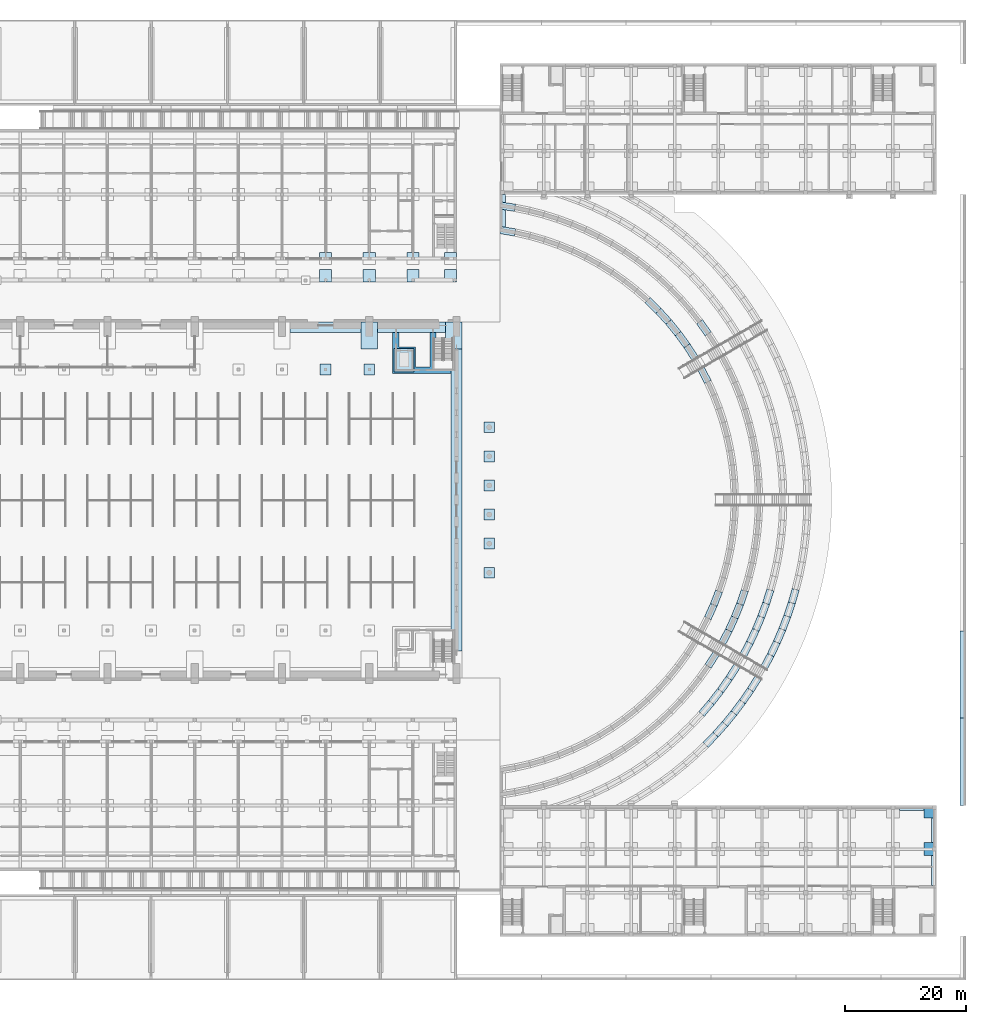
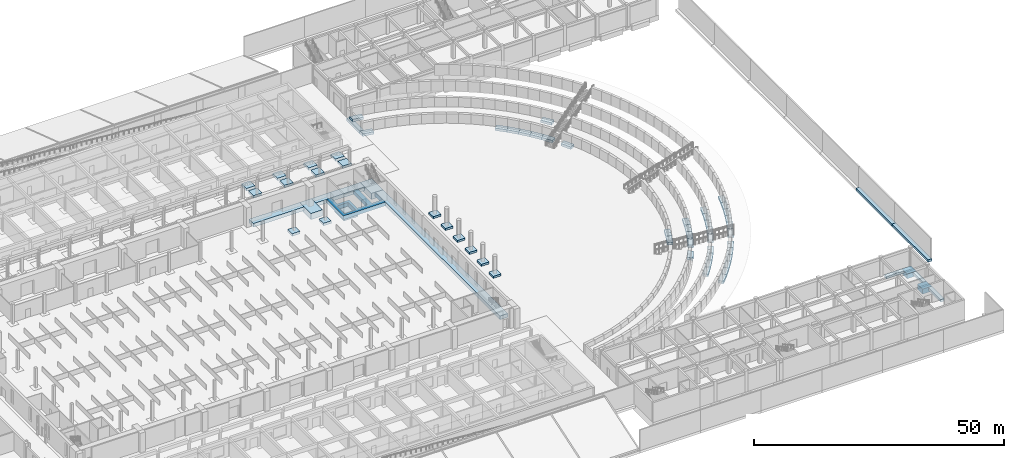
# One storey, part 8 of 73: 68 footings.
"""IFC4 building model written with IfcOpenShell, lengths in metres."""

import ifcopenshell
import ifcopenshell.guid

model = None  # the IFC model being written
_history = None  # IfcOwnerHistory: only IFC2X3 demands one
_inside = {}  # id of a spatial element -> (the spatial element, [elements in it])
_under = {}  # id of a project, library or spatial element -> (it, [spatial elements below it])
_declared = {}  # id of a project -> (the project, [libraries it declares])
_typed = {}  # id of a type object -> (the type object, [elements of that type])
_made_of = {}  # id of a material, layer set ... -> (it, [elements and type objects made of it])


def new_model(schema):
    """Start an empty IFC model of exactly this schema.

    Asked for "IFC4X3", IfcOpenShell would pick the latest addendum, in which some entities
    have other attributes; the version numbers below select the first issue.
    IFC2X3 requires an IfcOwnerHistory on every rooted entity: one is made here for all.
    """
    global model, _history
    if schema == "IFC4X3":
        model = ifcopenshell.file(schema_version=(4, 3, 0, 0))
    else:
        model = ifcopenshell.file(schema=schema)
    _inside.clear()
    _under.clear()
    _declared.clear()
    _typed.clear()
    _made_of.clear()
    _history = None
    if model.schema == "IFC2X3":
        org = make("IfcOrganization", Name="unknown")
        user = make(
            "IfcPersonAndOrganization",
            ThePerson=make("IfcPerson", FamilyName="unknown"),
            TheOrganization=org,
        )
        app = make(
            "IfcApplication",
            ApplicationDeveloper=org,
            Version="unknown",
            ApplicationFullName="unknown",
            ApplicationIdentifier="unknown",
        )
        _history = make(
            "IfcOwnerHistory",
            OwningUser=user,
            OwningApplication=app,
            ChangeAction="ADDED",
            CreationDate=0,
        )
    return model


def make(cls, **values):
    """One entity of the class cls with the attributes given. An attribute that is None is left unset."""
    return model.create_entity(
        cls, **{name: value for name, value in values.items() if value is not None}
    )


def rooted(cls, **values):
    """An entity with a GlobalId (a new one), such as an element, a storey or a relation."""
    return make(cls, GlobalId=ifcopenshell.guid.new(), OwnerHistory=_history, **values)


def si_unit(unit_type, name, prefix=None):
    """IfcSIUnit, for example si_unit("LENGTHUNIT", "METRE", prefix="MILLI")."""
    return make("IfcSIUnit", UnitType=unit_type, Prefix=prefix, Name=name)


def assignment(units):
    """IfcUnitAssignment: the units of a project."""
    return None if units is None else make("IfcUnitAssignment", Units=units)


def point(xyz):
    """IfcCartesianPoint."""
    return None if xyz is None else make("IfcCartesianPoint", Coordinates=xyz)


def direction(xyz):
    """IfcDirection."""
    return None if xyz is None else make("IfcDirection", DirectionRatios=xyz)


def frame(location, z_axis=None, x_axis=None):
    """IfcAxis2Placement3D, a coordinate frame: its origin and axes. An axis left out is left unset."""
    return make(
        "IfcAxis2Placement3D",
        Location=point(location),
        Axis=direction(z_axis),
        RefDirection=direction(x_axis),
    )


def frame_2d(location, x_axis=None):
    """IfcAxis2Placement2D, a coordinate frame in the plane: its origin and x axis."""
    return make(
        "IfcAxis2Placement2D", Location=point(location), RefDirection=direction(x_axis)
    )


def origin():
    """The frame at (0, 0, 0) with its axes left unset."""
    return frame((0.0, 0.0, 0.0))


def origin_2d():
    """The frame at (0, 0) in the plane with its x axis left unset."""
    return frame_2d((0.0, 0.0))


def place(relative_to, where):
    """IfcLocalPlacement: puts the frame where relative to a parent placement (None: the world)."""
    return make(
        "IfcLocalPlacement", PlacementRelTo=relative_to, RelativePlacement=where
    )


def context(
    kind, dimensions, precision=None, world=None, true_north=None, identifier=None
):
    """IfcGeometricRepresentationContext, for example the 3D "Model" context."""
    return make(
        "IfcGeometricRepresentationContext",
        ContextIdentifier=identifier,
        ContextType=kind,
        CoordinateSpaceDimension=dimensions,
        Precision=precision,
        WorldCoordinateSystem=world,
        TrueNorth=true_north,
    )


def subcontext(parent, identifier, kind, view, scale=None):
    """IfcGeometricRepresentationSubContext, for example "Body" below "Model"."""
    return make(
        "IfcGeometricRepresentationSubContext",
        ContextIdentifier=identifier,
        ContextType=kind,
        ParentContext=parent,
        TargetScale=scale,
        TargetView=view,
    )


def project(units=None, contexts=None):
    """IfcProject with its units and contexts."""
    return rooted(
        "IfcProject",
        Name="project",
        RepresentationContexts=contexts,
        UnitsInContext=assignment(units),
    )


def spatial(cls, under=None, at=None, **own):
    """A site, building, storey or space (cls), placed at a placement, below another one or the project."""
    s = rooted(cls, ObjectPlacement=at, **own)
    if under is not None:
        _under.setdefault(under.id(), (under, []))[1].append(s)
    return s


def polyline(points):
    """IfcPolyline through the points."""
    return make("IfcPolyline", Points=[point(p) for p in points])


def profile(cls, at=None, kind="AREA", **sizes):
    """A parametric profile (cls). Its sizes go by their IFC names, for example OverallWidth=200.0."""
    return make(cls, ProfileType=kind, Position=at, **sizes)


def rectangle(**sizes):
    """IfcRectangleProfileDef."""
    return profile("IfcRectangleProfileDef", **sizes)


def outline(outer, holes=None, kind="AREA"):
    """IfcArbitraryClosedProfileDef: a profile drawn as a closed curve; with holes, ...WithVoids."""
    if holes is None:
        return make("IfcArbitraryClosedProfileDef", ProfileType=kind, OuterCurve=outer)
    return make(
        "IfcArbitraryProfileDefWithVoids",
        ProfileType=kind,
        OuterCurve=outer,
        InnerCurves=holes,
    )


def extrude(swept, where, along, depth):
    """IfcExtrudedAreaSolid: the profile swept, set in the frame where, extruded along a direction by depth."""
    return make(
        "IfcExtrudedAreaSolid",
        SweptArea=swept,
        Position=where,
        ExtrudedDirection=direction(along),
        Depth=depth,
    )


def shape(context_of_items, identifier, shape_type, items):
    """IfcShapeRepresentation: the items that make up one representation, for example the "Body"."""
    return make(
        "IfcShapeRepresentation",
        ContextOfItems=context_of_items,
        RepresentationIdentifier=identifier,
        RepresentationType=shape_type,
        Items=items,
    )


def material(Name=None, Category=None):
    """IfcMaterial."""
    return make("IfcMaterial", Name=Name, Category=Category)


def made_of(thing, what):
    """Note that an element or type object is made of a material, layer set ...; save() writes the relation."""
    if what is not None:
        _made_of.setdefault(what.id(), (what, []))[1].append(thing)
    return thing


def type_object(cls, material=None, **own):
    """A type object (cls), such as IfcWallType, which elements share."""
    return made_of(rooted(cls, **own), material)


def element(
    cls,
    number,
    at=None,
    inside=None,
    cuts=None,
    type_object=None,
    material=None,
    context=None,
    identifier="Body",
    shape_type=None,
    held_by="IfcProductDefinitionShape",
    body=None,
    shapes=None,
    **own,
):
    """One element of the class cls, such as IfcWall. Its Tag is "e" and its number.

    at: its placement. inside: the storey or other place that contains it. cuts: it is an
    opening in that element (IfcRelVoidsElement). A single representation is given by context,
    identifier, shape_type and body (its items); several are given by shapes. held_by: the class
    of the entity that holds the representations. save() writes the other relations.
    """
    e = rooted(cls, Tag="e%d" % number, ObjectPlacement=at, **own)
    if body is not None:
        shapes = [shape(context, identifier, shape_type, body)]
    if shapes is not None:
        e.Representation = make(held_by, Representations=shapes)
    if inside is not None:
        _inside.setdefault(inside.id(), (inside, []))[1].append(e)
    if cuts is not None:
        rooted(
            "IfcRelVoidsElement", RelatingBuildingElement=cuts, RelatedOpeningElement=e
        )
    if type_object is not None:
        _typed.setdefault(type_object.id(), (type_object, []))[1].append(e)
    return made_of(e, material)


def aggregate(whole, parts):
    """IfcRelAggregates: a whole, such as a stair, and the parts it consists of."""
    return rooted("IfcRelAggregates", RelatingObject=whole, RelatedObjects=parts)


def save(model, path):
    """Write the relations noted so far, then the file.

    IfcRelAggregates (storeys below a building ...), IfcRelContainedInSpatialStructure (elements
    in a storey), IfcRelDefinesByType, IfcRelAssociatesMaterial and IfcRelDeclares: one each for
    every whole, place, type object, material and project.
    """
    for whole, parts in _under.values():
        aggregate(whole, parts)
    for where, things in _inside.values():
        rooted(
            "IfcRelContainedInSpatialStructure",
            RelatedElements=things,
            RelatingStructure=where,
        )
    for kind, things in _typed.values():
        rooted("IfcRelDefinesByType", RelatedObjects=things, RelatingType=kind)
    for what, things in _made_of.values():
        rooted("IfcRelAssociatesMaterial", RelatedObjects=things, RelatingMaterial=what)
    for by, libraries in _declared.values():
        rooted("IfcRelDeclares", RelatingContext=by, RelatedDefinitions=libraries)
    model.write(path)


model = new_model("IFC4")

# Units and contexts
model_context = context("Model", 3, precision=1e-05, world=origin(), true_north=direction((0.0, 1.0)))
body_context = subcontext(model_context, "Body", "Model", "MODEL_VIEW")
ifc_project = project(units=[si_unit("LENGTHUNIT", "METRE"), si_unit("AREAUNIT", "SQUARE_METRE"), si_unit("VOLUMEUNIT", "CUBIC_METRE"), si_unit("PLANEANGLEUNIT", "RADIAN"), si_unit("MASSUNIT", "GRAM", prefix="KILO")], contexts=[model_context])

# Site, building, storey
site_placement = place(None, origin())
site = spatial("IfcSite", under=ifc_project, at=site_placement, CompositionType="ELEMENT")
building_placement = place(site_placement, origin())
building = spatial("IfcBuilding", under=site, at=building_placement, Name="Alderwick Market Hall", CompositionType="ELEMENT")
storey_placement = place(building_placement, origin())
storey = spatial("IfcBuildingStorey", under=building, at=storey_placement, Name="LG", CompositionType="ELEMENT", Elevation=0.0)

# Footings
ifc_material_1 = material(Name="Concrete 4000 psi (f'c 28 MPa)", Category="concrete")
footing_type_1 = type_object("IfcFootingType", Name="A Pad Footing 2000x2000x600", PredefinedType="PAD_FOOTING", material=ifc_material_1)
footing_1_placement = place(storey_placement, frame((0.0, 0.0, -0.60009765625)))
element("IfcFooting", 1, at=footing_1_placement, inside=storey, type_object=footing_type_1, Name="A.N.pad.F11", PredefinedType="PAD_FOOTING", context=body_context, shape_type="SweptSolid", body=[
    extrude(outline(polyline([(128.60009765625, 118.050048828125), (130.60009765625, 118.050048828125), (130.60009765625, 120.050048828125), (128.60009765625, 120.050048828125), (128.60009765625, 118.050048828125)])), origin(), (0.0, 0.0, 1.0), 0.60009765625),
])
footing_2_placement = place(storey_placement, frame((0.0, 0.0, -0.60009765625)))
element("IfcFooting", 2, at=footing_2_placement, inside=storey, type_object=footing_type_1, Name="A.N.pad.F12", PredefinedType="PAD_FOOTING", context=body_context, shape_type="SweptSolid", body=[
    extrude(outline(polyline([(135.800048828125, 118.050048828125), (137.800048828125, 118.050048828125), (137.800048828125, 120.050048828125), (135.800048828125, 120.050048828125), (135.800048828125, 118.050048828125)])), origin(), (0.0, 0.0, 1.0), 0.60009765625),
])
footing_3_placement = place(storey_placement, frame((0.0, 0.0, -0.60009765625)))
element("IfcFooting", 3, at=footing_3_placement, inside=storey, type_object=footing_type_1, Name="A.N.pad.F13", PredefinedType="PAD_FOOTING", context=body_context, shape_type="SweptSolid", body=[
    extrude(outline(polyline([(143.0, 118.050048828125), (145.0, 118.050048828125), (145.0, 120.050048828125), (143.0, 120.050048828125), (143.0, 118.050048828125)])), origin(), (0.0, 0.0, 1.0), 0.60009765625),
])
footing_4_placement = place(storey_placement, frame((0.0, 0.0, -0.60009765625)))
element("IfcFooting", 4, at=footing_4_placement, inside=storey, type_object=footing_type_1, Name="A.N.pad.F14", PredefinedType="PAD_FOOTING", context=body_context, shape_type="SweptSolid", body=[
    extrude(outline(polyline([(149.199951171875, 118.050048828125), (151.199951171875, 118.050048828125), (151.199951171875, 120.050048828125), (149.199951171875, 120.050048828125), (149.199951171875, 118.050048828125)])), origin(), (0.0, 0.0, 1.0), 0.60009765625),
])
footing_5_placement = place(storey_placement, frame((0.0, 0.0, -0.60009765625)))
element("IfcFooting", 5, at=footing_5_placement, inside=storey, type_object=footing_type_1, Name="A.N.pad.C11", PredefinedType="PAD_FOOTING", context=body_context, shape_type="SweptSolid", body=[
    extrude(outline(polyline([(128.60009765625, 115.199951171875), (130.60009765625, 115.199951171875), (130.60009765625, 117.199951171875), (128.60009765625, 117.199951171875), (128.60009765625, 115.199951171875)])), origin(), (0.0, 0.0, 1.0), 0.60009765625),
])
footing_6_placement = place(storey_placement, frame((0.0, 0.0, -0.60009765625)))
element("IfcFooting", 6, at=footing_6_placement, inside=storey, type_object=footing_type_1, Name="A.N.pad.C12", PredefinedType="PAD_FOOTING", context=body_context, shape_type="SweptSolid", body=[
    extrude(outline(polyline([(135.800048828125, 115.199951171875), (137.800048828125, 115.199951171875), (137.800048828125, 117.199951171875), (135.800048828125, 117.199951171875), (135.800048828125, 115.199951171875)])), origin(), (0.0, 0.0, 1.0), 0.60009765625),
])
footing_7_placement = place(storey_placement, frame((0.0, 0.0, -0.60009765625)))
element("IfcFooting", 7, at=footing_7_placement, inside=storey, type_object=footing_type_1, Name="A.N.pad.C13", PredefinedType="PAD_FOOTING", context=body_context, shape_type="SweptSolid", body=[
    extrude(outline(polyline([(143.0, 115.199951171875), (145.0, 115.199951171875), (145.0, 117.199951171875), (143.0, 117.199951171875), (143.0, 115.199951171875)])), origin(), (0.0, 0.0, 1.0), 0.60009765625),
])
footing_8_placement = place(storey_placement, frame((0.0, 0.0, -0.60009765625)))
element("IfcFooting", 8, at=footing_8_placement, inside=storey, type_object=footing_type_1, Name="A.N.pad.C14", PredefinedType="PAD_FOOTING", context=body_context, shape_type="SweptSolid", body=[
    extrude(outline(polyline([(149.199951171875, 115.199951171875), (151.199951171875, 115.199951171875), (151.199951171875, 117.199951171875), (149.199951171875, 117.199951171875), (149.199951171875, 115.199951171875)])), origin(), (0.0, 0.0, 1.0), 0.60009765625),
])
footing_type_2 = type_object("IfcFootingType", Name="C Pad Footing 2100x2100x1200", PredefinedType="PAD_FOOTING", material=ifc_material_1)
for number, where, z_axis, x_axis, name in (
    (9, (229.35009765625, 27.75, -1.5), (0.0, 0.0, 1.0), (1.0, 0.0, 0.0), "C.cap.LG.11"),
    (10, (229.35009765625, 21.60009765625, -1.5), (0.0, 0.0, 1.0), (1.0, 0.0, 0.0), "C.cap.LG.22"),
):
    element("IfcFooting", number, at=place(storey_placement, frame(where, z_axis=z_axis, x_axis=x_axis)), inside=storey, type_object=footing_type_2, Name=name, PredefinedType="PAD_FOOTING", context=body_context, shape_type="SweptSolid", body=[
        extrude(rectangle(XDim=2.10009765625, YDim=2.10009765625, at=origin_2d()), origin(), (0.0, 0.0, 1.0), 1.199951171875),
    ])
footing_type_3 = type_object("IfcFootingType", Name="C Strip Footing 800x600", PredefinedType="STRIP_FOOTING", material=ifc_material_1)
footing_9_placement = place(storey_placement, frame((0.0, 0.0, -0.89990234375)))
element("IfcFooting", 11, at=footing_9_placement, inside=storey, type_object=footing_type_3, Name="C.strip.LG.10", PredefinedType="STRIP_FOOTING", context=body_context, shape_type="SweptSolid", body=[
    extrude(outline(polyline([(224.2509765625, 28.0), (228.299072265625, 28.0), (228.299072265625, 28.800048828125), (224.2509765625, 28.800048828125), (224.2509765625, 28.0)])), origin(), (0.0, 0.0, 1.0), 0.599853515625),
])
footing_10_placement = place(storey_placement, frame((0.0, 0.0, -0.89990234375)))
element("IfcFooting", 12, at=footing_10_placement, inside=storey, type_object=footing_type_3, Name="C.strip.LG.20", PredefinedType="STRIP_FOOTING", context=body_context, shape_type="SweptSolid", body=[
    extrude(outline(polyline([(229.60009765625, 22.65087890625), (230.39990234375, 22.65087890625), (230.39990234375, 26.698974609375), (229.60009765625, 26.698974609375), (229.60009765625, 22.65087890625)])), origin(), (0.0, 0.0, 1.0), 0.599853515625),
])
footing_11_placement = place(storey_placement, frame((0.0, 0.0, -0.89990234375)))
element("IfcFooting", 13, at=footing_11_placement, inside=storey, type_object=footing_type_3, Name="C.strip.LG.21", PredefinedType="STRIP_FOOTING", context=body_context, shape_type="SweptSolid", body=[
    extrude(outline(polyline([(229.60009765625, 15.60107421875), (230.39990234375, 15.60107421875), (230.39990234375, 20.549072265625), (229.60009765625, 20.549072265625), (229.60009765625, 15.60107421875)])), origin(), (0.0, 0.0, 1.0), 0.599853515625),
])
footing_type_4 = type_object("IfcFootingType", Name="H Lift pit footing 600", PredefinedType="PAD_FOOTING", material=ifc_material_1)
footing_12_placement = place(storey_placement, frame((0.0, 0.0, -1.5)))
element("IfcFooting", 14, at=footing_12_placement, inside=storey, type_object=footing_type_4, Name="Lift pit footing", PredefinedType="PAD_FOOTING", context=body_context, shape_type="SweptSolid", body=[
    extrude(outline(polyline([(140.89990234375, 104.159912109375), (144.199951171875, 104.159912109375), (144.199951171875, 100.360107421875), (140.89990234375, 100.360107421875), (140.89990234375, 104.159912109375)])), origin(), (0.0, 0.0, 1.0), 0.60009765625),
])
footing_type_5 = type_object("IfcFootingType", Name="H Pad footing 1800x1800x600", PredefinedType="PAD_FOOTING", material=ifc_material_1)
footing_13_placement = place(storey_placement, frame((0.0, 0.0, -0.60009765625)))
element("IfcFooting", 15, at=footing_13_placement, inside=storey, type_object=footing_type_5, Name="Pad footing", PredefinedType="PAD_FOOTING", context=body_context, shape_type="SweptSolid", body=[
    extrude(outline(polyline([(128.699951171875, 99.860107421875), (128.699951171875, 101.659912109375), (130.5, 101.659912109375), (130.5, 99.860107421875), (128.699951171875, 99.860107421875)])), origin(), (0.0, 0.0, 1.0), 0.60009765625),
])
footing_14_placement = place(storey_placement, frame((0.0, 0.0, -0.60009765625)))
element("IfcFooting", 16, at=footing_14_placement, inside=storey, type_object=footing_type_5, Name="Pad footing", PredefinedType="PAD_FOOTING", context=body_context, shape_type="SweptSolid", body=[
    extrude(outline(polyline([(135.89990234375, 99.860107421875), (135.89990234375, 101.659912109375), (137.699951171875, 101.659912109375), (137.699951171875, 99.860107421875), (135.89990234375, 99.860107421875)])), origin(), (0.0, 0.0, 1.0), 0.60009765625),
])
footing_type_6 = type_object("IfcFootingType", Name="H Pad footing 2700x4500x1500", PredefinedType="PAD_FOOTING", material=ifc_material_1)
for number, where, z_axis, x_axis, name in (
    (17, (136.800048828125, 106.35009765625, -1.5), (0.0, 0.0, 1.0), (1.0, 0.0, 0.0), "Pier footing N7"),
    (18, (150.75, 106.35009765625, -1.5), (0.0, 0.0, 1.0), (1.0, 0.0, 0.0), "Pier footing N8"),
):
    element("IfcFooting", number, at=place(storey_placement, frame(where, z_axis=z_axis, x_axis=x_axis)), inside=storey, type_object=footing_type_6, Name=name, PredefinedType="PAD_FOOTING", context=body_context, shape_type="SweptSolid", body=[
        extrude(rectangle(XDim=2.699951171875, YDim=4.5, at=origin_2d()), origin(), (0.0, 0.0, 1.0), 1.5),
    ])
footing_type_7 = type_object("IfcFootingType", Name="H Strip footing 900", PredefinedType="STRIP_FOOTING", material=ifc_material_1)
footing_15_placement = place(storey_placement, frame((0.0, 0.0, -0.89990234375)))
element("IfcFooting", 19, at=footing_15_placement, inside=storey, type_object=footing_type_7, Name="Strip footing", PredefinedType="STRIP_FOOTING", context=body_context, shape_type="SweptSolid", body=[
    extrude(outline(polyline([(135.449951171875, 108.60009765625), (135.449951171875, 106.800048828125), (123.75, 106.800048828125), (123.75, 108.60009765625), (135.449951171875, 108.60009765625)])), origin(), (0.0, 0.0, 1.0), 0.89990234375),
])
footing_16_placement = place(storey_placement, frame((0.0, 0.0, -0.89990234375)))
element("IfcFooting", 20, at=footing_16_placement, inside=storey, type_object=footing_type_7, Name="Strip footing", PredefinedType="STRIP_FOOTING", context=body_context, shape_type="SweptSolid", body=[
    extrude(outline(polyline([(149.39990234375, 108.60009765625), (149.39990234375, 106.800048828125), (138.14990234375, 106.800048828125), (138.14990234375, 108.60009765625), (149.39990234375, 108.60009765625)])), origin(), (0.0, 0.0, 1.0), 0.89990234375),
])
footing_17_placement = place(storey_placement, frame((0.0, 0.0, -0.89990234375)))
element("IfcFooting", 21, at=footing_17_placement, inside=storey, type_object=footing_type_7, Name="Strip footing", PredefinedType="STRIP_FOOTING", context=body_context, shape_type="SweptSolid", body=[
    extrude(outline(polyline([(152.10009765625, 54.300048828125), (150.300048828125, 54.300048828125), (150.300048828125, 104.10009765625), (152.10009765625, 104.10009765625), (152.10009765625, 54.300048828125)])), origin(), (0.0, 0.0, 1.0), 0.89990234375),
])
footing_18_placement = place(storey_placement, frame((0.0, 0.0, -0.89990234375)))
element("IfcFooting", 22, at=footing_18_placement, inside=storey, type_object=footing_type_7, Name="Core wall footing", PredefinedType="STRIP_FOOTING", context=body_context, shape_type="SweptSolid", body=[
    extrude(outline(polyline([(144.449951171875, 104.409912109375), (144.449951171875, 101.159912109375), (146.800048828125, 101.159912109375), (146.800048828125, 106.800048828125), (147.85009765625, 106.800048828125), (147.85009765625, 101.159912109375), (150.199951171875, 101.159912109375), (150.199951171875, 104.10009765625), (150.300048828125, 104.10009765625), (150.300048828125, 100.110107421875), (140.64990234375, 100.110107421875), (140.64990234375, 106.800048828125), (141.699951171875, 106.800048828125), (141.699951171875, 104.409912109375), (144.449951171875, 104.409912109375)]), holes=[polyline([(143.800048828125, 103.760009765625), (141.300048828125, 103.760009765625), (141.300048828125, 100.760009765625), (143.800048828125, 100.760009765625), (143.800048828125, 103.760009765625)])]), origin(), (0.0, 0.0, 1.0), 0.89990234375),
])
ifc_material_2 = material(Name="Concrete 5000 psi (f'c 35 MPa)", Category="concrete")
footing_type_8 = type_object("IfcFootingType", Name="R Portico Footing 1800x1800x500", PredefinedType="PAD_FOOTING", material=ifc_material_2)
for number, where, z_axis, x_axis, name in (
    (23, (156.60009765625, 67.199951171875, 0.0), (0.0, 0.0, 1.0), (1.0, 0.0, 0.0), "Portico column footing 1"),
    (24, (156.60009765625, 72.0, 0.0), (0.0, 0.0, 1.0), (1.0, 0.0, 0.0), "Portico column footing 2"),
    (25, (156.60009765625, 76.800048828125, 0.0), (0.0, 0.0, 1.0), (1.0, 0.0, 0.0), "Portico column footing 3"),
    (26, (156.60009765625, 81.60009765625, 0.0), (0.0, 0.0, 1.0), (1.0, 0.0, 0.0), "Portico column footing 4"),
    (27, (156.60009765625, 86.39990234375, 0.0), (0.0, 0.0, 1.0), (1.0, 0.0, 0.0), "Portico column footing 5"),
    (28, (156.60009765625, 91.199951171875, 0.0), (0.0, 0.0, 1.0), (1.0, 0.0, 0.0), "Portico column footing 6"),
):
    element("IfcFooting", number, at=place(storey_placement, frame(where, z_axis=z_axis, x_axis=x_axis)), inside=storey, type_object=footing_type_8, Name=name, PredefinedType="PAD_FOOTING", context=body_context, shape_type="SweptSolid", body=[
        extrude(rectangle(XDim=1.800048828125, YDim=1.800048828125, at=origin_2d()), origin(), (0.0, 0.0, 1.0), 0.5),
    ])
footing_type_9 = type_object("IfcFootingType", Name="S Strip Footing 900", PredefinedType="STRIP_FOOTING", material=ifc_material_1)
footing_19_placement = place(storey_placement, frame((0.0, 0.0, -0.85009765625)))
element("IfcFooting", 29, at=footing_19_placement, inside=storey, type_object=footing_type_9, Name="S.efoot.06a.1", PredefinedType="STRIP_FOOTING", context=body_context, shape_type="SweptSolid", body=[
    extrude(outline(polyline([(159.300048828125, 123.9580078125), (159.300048828125, 129.590087890625), (158.39990234375, 129.590087890625), (158.39990234375, 123.9580078125), (159.300048828125, 123.9580078125)])), origin(), (0.0, 0.0, 1.0), 0.60009765625),
])
footing_20_placement = place(storey_placement, frame((0.0, 0.0, -0.800048828125)))
element("IfcFooting", 30, at=footing_20_placement, inside=storey, type_object=footing_type_9, Name="S.ffoot.W1.18", PredefinedType="STRIP_FOOTING", context=body_context, shape_type="SweptSolid", body=[
    extrude(outline(polyline([(193.197265625, 59.442138671875), (194.1904296875, 61.656982421875), (193.082763671875, 62.11865234375), (192.11572265625, 59.962158203125), (193.197265625, 59.442138671875)])), origin(), (0.0, 0.0, 1.0), 0.60009765625),
])
footing_21_placement = place(storey_placement, frame((0.0, 0.0, -0.800048828125)))
element("IfcFooting", 31, at=footing_21_placement, inside=storey, type_object=footing_type_9, Name="S.ffoot.W1.19", PredefinedType="STRIP_FOOTING", context=body_context, shape_type="SweptSolid", body=[
    extrude(outline(polyline([(194.1904296875, 61.656982421875), (195.064208984375, 63.921630859375), (193.93359375, 64.32373046875), (193.082763671875, 62.11865234375), (194.1904296875, 61.656982421875)])), origin(), (0.0, 0.0, 1.0), 0.60009765625),
])
footing_22_placement = place(storey_placement, frame((0.0, 0.0, -0.800048828125)))
element("IfcFooting", 32, at=footing_22_placement, inside=storey, type_object=footing_type_9, Name="S.ffoot.W1.34", PredefinedType="STRIP_FOOTING", context=body_context, shape_type="SweptSolid", body=[
    extrude(outline(polyline([(193.197265625, 98.957763671875), (192.087646484375, 101.11669921875), (191.035400390625, 100.5400390625), (192.11572265625, 98.43798828125), (193.197265625, 98.957763671875)])), origin(), (0.0, 0.0, 1.0), 0.60009765625),
])
footing_23_placement = place(storey_placement, frame((0.0, 0.0, -0.800048828125)))
element("IfcFooting", 33, at=footing_23_placement, inside=storey, type_object=footing_type_9, Name="S.ffoot.W1.35", PredefinedType="STRIP_FOOTING", context=body_context, shape_type="SweptSolid", body=[
    extrude(outline(polyline([(191.07421875, 102.871826171875), (189.706787109375, 104.9892578125), (188.71728515625, 104.310546875), (190.048583984375, 102.2490234375), (191.07421875, 102.871826171875)])), origin(), (0.0, 0.0, 1.0), 0.60009765625),
])
footing_24_placement = place(storey_placement, frame((0.0, 0.0, -0.800048828125)))
element("IfcFooting", 34, at=footing_24_placement, inside=storey, type_object=footing_type_9, Name="S.ffoot.W1.36", PredefinedType="STRIP_FOOTING", context=body_context, shape_type="SweptSolid", body=[
    extrude(outline(polyline([(189.706787109375, 104.9892578125), (188.224365234375, 107.02783203125), (187.273681640625, 106.29541015625), (188.71728515625, 104.310546875), (189.706787109375, 104.9892578125)])), origin(), (0.0, 0.0, 1.0), 0.60009765625),
])
footing_25_placement = place(storey_placement, frame((0.0, 0.0, -0.800048828125)))
element("IfcFooting", 35, at=footing_25_placement, inside=storey, type_object=footing_type_9, Name="S.ffoot.W1.37", PredefinedType="STRIP_FOOTING", context=body_context, shape_type="SweptSolid", body=[
    extrude(outline(polyline([(188.224365234375, 107.02783203125), (186.631591796875, 108.981201171875), (185.722900390625, 108.197509765625), (187.273681640625, 106.29541015625), (188.224365234375, 107.02783203125)])), origin(), (0.0, 0.0, 1.0), 0.60009765625),
])
footing_26_placement = place(storey_placement, frame((0.0, 0.0, -0.800048828125)))
element("IfcFooting", 36, at=footing_26_placement, inside=storey, type_object=footing_type_9, Name="S.ffoot.W1.38", PredefinedType="STRIP_FOOTING", context=body_context, shape_type="SweptSolid", body=[
    extrude(outline(polyline([(186.631591796875, 108.981201171875), (184.933349609375, 110.84375), (184.0693359375, 110.010986328125), (185.722900390625, 108.197509765625), (186.631591796875, 108.981201171875)])), origin(), (0.0, 0.0, 1.0), 0.60009765625),
])
footing_27_placement = place(storey_placement, frame((0.0, 0.0, -0.800048828125)))
element("IfcFooting", 37, at=footing_27_placement, inside=storey, type_object=footing_type_9, Name="S.ffoot.W1.39", PredefinedType="STRIP_FOOTING", context=body_context, shape_type="SweptSolid", body=[
    extrude(outline(polyline([(184.933349609375, 110.84375), (183.134765625, 112.609619140625), (182.318115234375, 111.73046875), (184.0693359375, 110.010986328125), (184.933349609375, 110.84375)])), origin(), (0.0, 0.0, 1.0), 0.60009765625),
])
footing_28_placement = place(storey_placement, frame((0.0, 0.0, -0.800048828125)))
element("IfcFooting", 38, at=footing_28_placement, inside=storey, type_object=footing_type_9, Name="S.ffoot.W1.50", PredefinedType="STRIP_FOOTING", context=body_context, shape_type="SweptSolid", body=[
    extrude(outline(polyline([(160.968994140625, 123.92919921875), (158.48388671875, 124.350830078125), (158.39990234375, 124.362060546875), (158.39990234375, 123.1484375), (160.735595703125, 122.752197265625), (160.968994140625, 123.92919921875)])), origin(), (0.0, 0.0, 1.0), 0.60009765625),
])
footing_29_placement = place(storey_placement, frame((0.0, 0.0, 0.300048828125)))
element("IfcFooting", 39, at=footing_29_placement, inside=storey, type_object=footing_type_9, Name="S.ffoot.W2.18", PredefinedType="STRIP_FOOTING", context=body_context, shape_type="SweptSolid", body=[
    extrude(outline(polyline([(193.20703125, 51.4443359375), (194.539794921875, 53.528564453125), (193.512939453125, 54.149658203125), (192.21240234375, 52.115966796875), (193.20703125, 51.4443359375)])), origin(), (0.0, 0.0, 1.0), 0.599853515625),
])
footing_30_placement = place(storey_placement, frame((0.0, 0.0, 0.300048828125)))
element("IfcFooting", 40, at=footing_30_placement, inside=storey, type_object=footing_type_9, Name="S.ffoot.W2.19", PredefinedType="STRIP_FOOTING", context=body_context, shape_type="SweptSolid", body=[
    extrude(outline(polyline([(195.552001953125, 55.28173828125), (196.65576171875, 57.406494140625), (195.57763671875, 57.933837890625), (194.500732421875, 55.860595703125), (195.552001953125, 55.28173828125)])), origin(), (0.0, 0.0, 1.0), 0.599853515625),
])
footing_31_placement = place(storey_placement, frame((0.0, 0.0, 0.300048828125)))
element("IfcFooting", 41, at=footing_31_placement, inside=storey, type_object=footing_type_9, Name="S.ffoot.W2.20", PredefinedType="STRIP_FOOTING", context=body_context, shape_type="SweptSolid", body=[
    extrude(outline(polyline([(196.65576171875, 57.406494140625), (197.655517578125, 59.582275390625), (196.55322265625, 60.056884765625), (195.57763671875, 57.933837890625), (196.65576171875, 57.406494140625)])), origin(), (0.0, 0.0, 1.0), 0.599853515625),
])
footing_32_placement = place(storey_placement, frame((0.0, 0.0, 0.300048828125)))
element("IfcFooting", 42, at=footing_32_placement, inside=storey, type_object=footing_type_9, Name="S.ffoot.W2.21", PredefinedType="STRIP_FOOTING", context=body_context, shape_type="SweptSolid", body=[
    extrude(outline(polyline([(197.655517578125, 59.582275390625), (198.54931640625, 61.8037109375), (197.42529296875, 62.224609375), (196.55322265625, 60.056884765625), (197.655517578125, 59.582275390625)])), origin(), (0.0, 0.0, 1.0), 0.599853515625),
])
footing_33_placement = place(storey_placement, frame((0.0, 0.0, 0.300048828125)))
element("IfcFooting", 43, at=footing_33_placement, inside=storey, type_object=footing_type_9, Name="S.ffoot.W2.22", PredefinedType="STRIP_FOOTING", context=body_context, shape_type="SweptSolid", body=[
    extrude(outline(polyline([(198.54931640625, 61.8037109375), (199.334716796875, 64.0654296875), (198.19189453125, 64.431640625), (197.42529296875, 62.224609375), (198.54931640625, 61.8037109375)])), origin(), (0.0, 0.0, 1.0), 0.599853515625),
])
footing_34_placement = place(storey_placement, frame((0.0, 0.0, 0.300048828125)))
element("IfcFooting", 44, at=footing_34_placement, inside=storey, type_object=footing_type_9, Name="S.ffoot.W2.40", PredefinedType="STRIP_FOOTING", context=body_context, shape_type="SweptSolid", body=[
    extrude(outline(polyline([(193.20703125, 106.95556640625), (191.77197265625, 108.970703125), (190.812255859375, 108.25048828125), (192.21240234375, 106.2841796875), (193.20703125, 106.95556640625)])), origin(), (0.0, 0.0, 1.0), 0.599853515625),
])
footing_35_placement = place(storey_placement, frame((0.0, 0.0, 0.300048828125)))
element("IfcFooting", 45, at=footing_35_placement, inside=storey, type_object=footing_type_9, Name="S.ffoot.W2.56", PredefinedType="STRIP_FOOTING", context=body_context, shape_type="SweptSolid", body=[
    extrude(outline(polyline([(160.921875, 128.00927734375), (158.47705078125, 128.38818359375), (158.39990234375, 128.397705078125), (158.39990234375, 127.186279296875), (160.708251953125, 126.828369140625), (160.921875, 128.00927734375)])), origin(), (0.0, 0.0, 1.0), 0.599853515625),
])
footing_36_placement = place(storey_placement, frame((0.0, 0.0, 1.5)))
element("IfcFooting", 46, at=footing_36_placement, inside=storey, type_object=footing_type_9, Name="S.ffoot.W3.12", PredefinedType="STRIP_FOOTING", context=body_context, shape_type="SweptSolid", body=[
    extrude(outline(polyline([(192.082763671875, 43.502197265625), (193.7021484375, 45.403076171875), (192.770751953125, 46.159912109375), (191.1875, 44.30126953125), (192.082763671875, 43.502197265625)])), origin(), (0.0, 0.0, 1.0), 0.60009765625),
])
footing_37_placement = place(storey_placement, frame((0.0, 0.0, 1.5)))
element("IfcFooting", 47, at=footing_37_placement, inside=storey, type_object=footing_type_9, Name="S.ffoot.W3.13", PredefinedType="STRIP_FOOTING", context=body_context, shape_type="SweptSolid", body=[
    extrude(outline(polyline([(193.7021484375, 45.403076171875), (195.23095703125, 47.37744140625), (194.265380859375, 48.08984375), (192.770751953125, 46.159912109375), (193.7021484375, 45.403076171875)])), origin(), (0.0, 0.0, 1.0), 0.60009765625),
])
footing_38_placement = place(storey_placement, frame((0.0, 0.0, 1.5)))
element("IfcFooting", 48, at=footing_38_placement, inside=storey, type_object=footing_type_9, Name="S.ffoot.W3.14", PredefinedType="STRIP_FOOTING", context=body_context, shape_type="SweptSolid", body=[
    extrude(outline(polyline([(195.23095703125, 47.37744140625), (196.66650390625, 49.4208984375), (195.668701171875, 50.087646484375), (194.265380859375, 48.08984375), (195.23095703125, 47.37744140625)])), origin(), (0.0, 0.0, 1.0), 0.60009765625),
])
footing_39_placement = place(storey_placement, frame((0.0, 0.0, 1.5)))
element("IfcFooting", 49, at=footing_39_placement, inside=storey, type_object=footing_type_9, Name="S.ffoot.W3.15", PredefinedType="STRIP_FOOTING", context=body_context, shape_type="SweptSolid", body=[
    extrude(outline(polyline([(196.66650390625, 49.4208984375), (198.0048828125, 51.52880859375), (196.977294921875, 52.1484375), (195.668701171875, 50.087646484375), (196.66650390625, 49.4208984375)])), origin(), (0.0, 0.0, 1.0), 0.60009765625),
])
footing_40_placement = place(storey_placement, frame((0.0, 0.0, 1.5)))
element("IfcFooting", 50, at=footing_40_placement, inside=storey, type_object=footing_type_9, Name="S.ffoot.W3.16", PredefinedType="STRIP_FOOTING", context=body_context, shape_type="SweptSolid", body=[
    extrude(outline(polyline([(199.016357421875, 53.280517578125), (200.114990234375, 55.37744140625), (199.0400390625, 55.910888671875), (197.966064453125, 53.86083984375), (199.016357421875, 53.280517578125)])), origin(), (0.0, 0.0, 1.0), 0.60009765625),
])
footing_41_placement = place(storey_placement, frame((0.0, 0.0, 1.5)))
element("IfcFooting", 51, at=footing_41_placement, inside=storey, type_object=footing_type_9, Name="S.ffoot.W3.17", PredefinedType="STRIP_FOOTING", context=body_context, shape_type="SweptSolid", body=[
    extrude(outline(polyline([(200.114990234375, 55.37744140625), (201.1201171875, 57.520751953125), (200.022705078125, 58.006103515625), (199.0400390625, 55.910888671875), (200.114990234375, 55.37744140625)])), origin(), (0.0, 0.0, 1.0), 0.60009765625),
])
footing_42_placement = place(storey_placement, frame((0.0, 0.0, 1.5)))
element("IfcFooting", 52, at=footing_42_placement, inside=storey, type_object=footing_type_9, Name="S.ffoot.W3.18", PredefinedType="STRIP_FOOTING", context=body_context, shape_type="SweptSolid", body=[
    extrude(outline(polyline([(201.1201171875, 57.520751953125), (202.029541015625, 59.706298828125), (200.91162109375, 60.142822265625), (200.022705078125, 58.006103515625), (201.1201171875, 57.520751953125)])), origin(), (0.0, 0.0, 1.0), 0.60009765625),
])
footing_43_placement = place(storey_placement, frame((0.0, 0.0, 1.5)))
element("IfcFooting", 53, at=footing_43_placement, inside=storey, type_object=footing_type_9, Name="S.ffoot.W3.19", PredefinedType="STRIP_FOOTING", context=body_context, shape_type="SweptSolid", body=[
    extrude(outline(polyline([(202.029541015625, 59.706298828125), (202.841552734375, 61.929931640625), (201.70556640625, 62.316650390625), (200.91162109375, 60.142822265625), (202.029541015625, 59.706298828125)])), origin(), (0.0, 0.0, 1.0), 0.60009765625),
])
footing_44_placement = place(storey_placement, frame((0.0, 0.0, 1.5)))
element("IfcFooting", 54, at=footing_44_placement, inside=storey, type_object=footing_type_9, Name="S.ffoot.W3.20", PredefinedType="STRIP_FOOTING", context=body_context, shape_type="SweptSolid", body=[
    extrude(outline(polyline([(202.841552734375, 61.929931640625), (203.5546875, 64.1875), (202.402587890625, 64.5234375), (201.70556640625, 62.316650390625), (202.841552734375, 61.929931640625)])), origin(), (0.0, 0.0, 1.0), 0.60009765625),
])
footing_45_placement = place(storey_placement, frame((0.0, 0.0, 2.699951171875)))
element("IfcFooting", 55, at=footing_45_placement, inside=storey, type_object=footing_type_9, Name="S.ffoot.W4.08", PredefinedType="STRIP_FOOTING", context=body_context, shape_type="SweptSolid", body=[
    extrude(outline(polyline([(192.73291015625, 38.374267578125), (194.376220703125, 40.07861328125), (193.495361328125, 40.8935546875), (191.88623046875, 39.224853515625), (192.73291015625, 38.374267578125)])), origin(), (0.0, 0.0, 1.0), 0.60009765625),
])
footing_46_placement = place(storey_placement, frame((0.0, 0.0, 2.699951171875)))
element("IfcFooting", 56, at=footing_46_placement, inside=storey, type_object=footing_type_9, Name="S.ffoot.W4.09", PredefinedType="STRIP_FOOTING", context=body_context, shape_type="SweptSolid", body=[
    extrude(outline(polyline([(194.376220703125, 40.07861328125), (195.947998046875, 41.8486328125), (195.034423828125, 42.626953125), (193.495361328125, 40.8935546875), (194.376220703125, 40.07861328125)])), origin(), (0.0, 0.0, 1.0), 0.60009765625),
])
footing_47_placement = place(storey_placement, frame((0.0, 0.0, 2.699951171875)))
element("IfcFooting", 57, at=footing_47_placement, inside=storey, type_object=footing_type_9, Name="S.ffoot.W4.10", PredefinedType="STRIP_FOOTING", context=body_context, shape_type="SweptSolid", body=[
    extrude(outline(polyline([(195.947998046875, 41.8486328125), (197.44580078125, 43.68212890625), (196.501220703125, 44.422119140625), (195.034423828125, 42.626953125), (195.947998046875, 41.8486328125)])), origin(), (0.0, 0.0, 1.0), 0.60009765625),
])
footing_48_placement = place(storey_placement, frame((0.0, 0.0, 2.699951171875)))
element("IfcFooting", 58, at=footing_48_placement, inside=storey, type_object=footing_type_9, Name="S.ffoot.W4.11", PredefinedType="STRIP_FOOTING", context=body_context, shape_type="SweptSolid", body=[
    extrude(outline(polyline([(197.44580078125, 43.68212890625), (198.866943359375, 45.575439453125), (197.892578125, 46.27587890625), (196.501220703125, 44.422119140625), (197.44580078125, 43.68212890625)])), origin(), (0.0, 0.0, 1.0), 0.60009765625),
])
footing_49_placement = place(storey_placement, frame((0.0, 0.0, 2.699951171875)))
element("IfcFooting", 59, at=footing_49_placement, inside=storey, type_object=footing_type_9, Name="S.ffoot.W4.12", PredefinedType="STRIP_FOOTING", context=body_context, shape_type="SweptSolid", body=[
    extrude(outline(polyline([(198.866943359375, 45.575439453125), (200.209228515625, 47.525634765625), (199.206787109375, 48.185546875), (197.892578125, 46.27587890625), (198.866943359375, 45.575439453125)])), origin(), (0.0, 0.0, 1.0), 0.60009765625),
])
footing_50_placement = place(storey_placement, frame((0.0, 0.0, 2.699951171875)))
element("IfcFooting", 60, at=footing_50_placement, inside=storey, type_object=footing_type_9, Name="S.ffoot.W4.13", PredefinedType="STRIP_FOOTING", context=body_context, shape_type="SweptSolid", body=[
    extrude(outline(polyline([(200.209228515625, 47.525634765625), (201.47021484375, 49.529296875), (200.441650390625, 50.1474609375), (199.206787109375, 48.185546875), (200.209228515625, 47.525634765625)])), origin(), (0.0, 0.0, 1.0), 0.60009765625),
])
footing_51_placement = place(storey_placement, frame((0.0, 0.0, 2.699951171875)))
element("IfcFooting", 61, at=footing_51_placement, inside=storey, type_object=footing_type_9, Name="S.ffoot.W4.14", PredefinedType="STRIP_FOOTING", context=body_context, shape_type="SweptSolid", body=[
    extrude(outline(polyline([(202.480712890625, 51.279541015625), (203.5751953125, 53.35302734375), (202.502685546875, 53.8916015625), (201.43115234375, 51.861083984375), (202.480712890625, 51.279541015625)])), origin(), (0.0, 0.0, 1.0), 0.60009765625),
])
footing_52_placement = place(storey_placement, frame((0.0, 0.0, 2.699951171875)))
element("IfcFooting", 62, at=footing_52_placement, inside=storey, type_object=footing_type_9, Name="S.ffoot.W4.15", PredefinedType="STRIP_FOOTING", context=body_context, shape_type="SweptSolid", body=[
    extrude(outline(polyline([(203.5751953125, 53.35302734375), (204.58447265625, 55.469482421875), (203.4912109375, 55.9638671875), (202.502685546875, 53.8916015625), (203.5751953125, 53.35302734375)])), origin(), (0.0, 0.0, 1.0), 0.60009765625),
])
footing_53_placement = place(storey_placement, frame((0.0, 0.0, 2.699951171875)))
element("IfcFooting", 63, at=footing_53_placement, inside=storey, type_object=footing_type_9, Name="S.ffoot.W4.16", PredefinedType="STRIP_FOOTING", context=body_context, shape_type="SweptSolid", body=[
    extrude(outline(polyline([(204.58447265625, 55.469482421875), (205.5068359375, 57.625), (204.39404296875, 58.07470703125), (203.4912109375, 55.9638671875), (204.58447265625, 55.469482421875)])), origin(), (0.0, 0.0, 1.0), 0.60009765625),
])
footing_54_placement = place(storey_placement, frame((0.0, 0.0, 2.699951171875)))
element("IfcFooting", 64, at=footing_54_placement, inside=storey, type_object=footing_type_9, Name="S.ffoot.W4.17", PredefinedType="STRIP_FOOTING", context=body_context, shape_type="SweptSolid", body=[
    extrude(outline(polyline([(205.5068359375, 57.625), (206.340576171875, 59.81640625), (205.210693359375, 60.22021484375), (204.39404296875, 58.07470703125), (205.5068359375, 57.625)])), origin(), (0.0, 0.0, 1.0), 0.60009765625),
])
footing_55_placement = place(storey_placement, frame((0.0, 0.0, 2.699951171875)))
element("IfcFooting", 65, at=footing_55_placement, inside=storey, type_object=footing_type_9, Name="S.ffoot.W4.18", PredefinedType="STRIP_FOOTING", context=body_context, shape_type="SweptSolid", body=[
    extrude(outline(polyline([(206.340576171875, 59.81640625), (207.08447265625, 62.0400390625), (205.93896484375, 62.397705078125), (205.210693359375, 60.22021484375), (206.340576171875, 59.81640625)])), origin(), (0.0, 0.0, 1.0), 0.60009765625),
])
footing_56_placement = place(storey_placement, frame((0.0, 0.0, 2.699951171875)))
element("IfcFooting", 66, at=footing_56_placement, inside=storey, type_object=footing_type_9, Name="S.ffoot.W4.19", PredefinedType="STRIP_FOOTING", context=body_context, shape_type="SweptSolid", body=[
    extrude(outline(polyline([(207.08447265625, 62.0400390625), (207.7373046875, 64.2919921875), (206.578125, 64.6025390625), (205.93896484375, 62.397705078125), (207.08447265625, 62.0400390625)])), origin(), (0.0, 0.0, 1.0), 0.60009765625),
])
footing_57_placement = place(storey_placement, frame((0.0, 0.0, -0.85009765625)))
element("IfcFooting", 67, at=footing_57_placement, inside=storey, type_object=footing_type_9, Name="S.bfoot.E04a", PredefinedType="STRIP_FOOTING", context=body_context, shape_type="SweptSolid", body=[
    extrude(outline(polyline([(234.300048828125, 28.800048828125), (235.199951171875, 28.800048828125), (235.199951171875, 43.199951171875), (234.300048828125, 43.199951171875), (234.300048828125, 28.800048828125)])), origin(), (0.0, 0.0, 1.0), 0.60009765625),
])
footing_58_placement = place(storey_placement, frame((0.0, 0.0, -0.85009765625)))
element("IfcFooting", 68, at=footing_58_placement, inside=storey, type_object=footing_type_9, Name="S.bfoot.E04b", PredefinedType="STRIP_FOOTING", context=body_context, shape_type="SweptSolid", body=[
    extrude(outline(polyline([(234.300048828125, 43.199951171875), (235.199951171875, 43.199951171875), (235.199951171875, 57.60009765625), (234.300048828125, 57.60009765625), (234.300048828125, 43.199951171875)])), origin(), (0.0, 0.0, 1.0), 0.60009765625),
])

save(model, "model.ifc")
